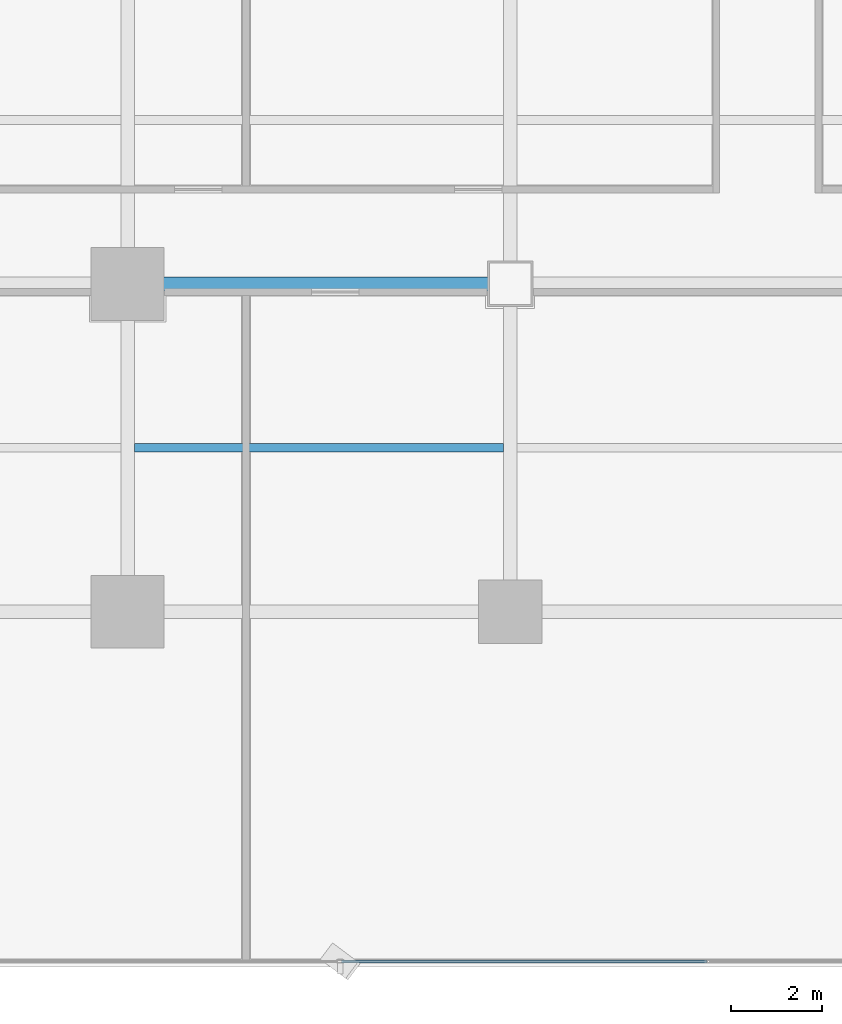
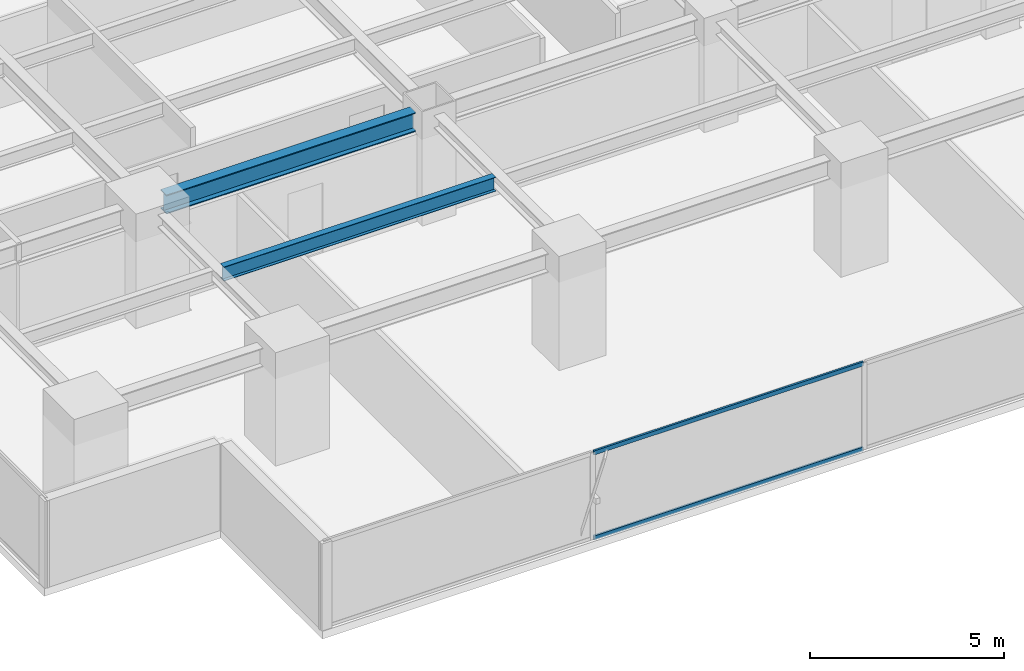
# One storey, part 5 of 36: 2 beams, 2 members, 1 element without a shape of its own.
"""IFC4 building model written with IfcOpenShell, lengths in metres."""

from ifc_helpers import new_model, si_unit, direction, frame, origin, origin_2d, place, context, subcontext, project, spatial, hollow_rectangle, i_section, extrude, source, transform, mapped, material, layer, layer_set, material_profile, profile_set, type_object, element, aggregate, save


model = new_model("IFC4")

# Units and contexts
model_context = context("Model", 3, precision=1e-05, world=origin(), true_north=direction((0.0, 1.0)))
body_context = subcontext(model_context, "Body", "Model", "MODEL_VIEW")
ifc_project = project(units=[si_unit("LENGTHUNIT", "METRE"), si_unit("AREAUNIT", "SQUARE_METRE"), si_unit("VOLUMEUNIT", "CUBIC_METRE"), si_unit("PLANEANGLEUNIT", "RADIAN"), si_unit("MASSUNIT", "GRAM", prefix="KILO")], contexts=[model_context])

# Site, building, storey
site_placement = place(None, origin())
site = spatial("IfcSite", under=ifc_project, at=site_placement, CompositionType="ELEMENT")
building_placement = place(site_placement, origin())
building = spatial("IfcBuilding", under=site, at=building_placement, Name="Sumidabori Civic Tower", CompositionType="ELEMENT")
storey_placement = place(building_placement, frame((0.0, 0.0, 92.0)))
storey = spatial("IfcBuildingStorey", under=building, at=storey_placement, Name="L23", CompositionType="ELEMENT", Elevation=92.0)

# Beams
ifc_material_1 = material(Name="Steel SN490", Category="steel")
ifc_material_profile_1 = material_profile(ifc_material_1, i_section(OverallWidth=0.300048828125, OverallDepth=0.60009765625, WebThickness=0.015380859375, FlangeThickness=0.030029296875, at=origin_2d()), Name="HE 600 B")
ifc_profile_set_1 = profile_set([ifc_material_profile_1], Name="Steel SN490")
beam_type_1 = type_object("IfcBeamType", Name="BM-GIRD-600", PredefinedType="BEAM", material=ifc_profile_set_1)
shared_shape_1 = source(origin(), body_context, "Body", "SweptSolid", [
    extrude(i_section(OverallWidth=0.300048828125, OverallDepth=0.60009765625, WebThickness=0.015380859375, FlangeThickness=0.030029296875, at=origin_2d()), origin(), (0.0, 0.0, 1.0), 7.440185546875),
])
beam_1_placement = place(storey_placement, frame((-16.320068359375, -10.800048828125, 3.06005859375), z_axis=(1.0, 0.0, 0.0), x_axis=(0.0, 1.0, 0.0)))
element("IfcBeam", 1, at=beam_1_placement, inside=storey, type_object=beam_type_1, Name="Primary Girder L23 GX-08", PredefinedType="BEAM", context=body_context, shape_type="MappedRepresentation", body=[
    mapped(shared_shape_1, transform((0.0, 0.0, 0.0), x_axis=(1.0, 0.0, 0.0), y_axis=(0.0, 1.0, 0.0), z_axis=(0.0, 0.0, 1.0), scale=1.0)),
])
ifc_material_profile_2 = material_profile(ifc_material_1, i_section(OverallWidth=0.18994140625, OverallDepth=0.449951171875, WebThickness=0.009521484375, FlangeThickness=0.0146484375, at=origin_2d()), Name="IPE 450")
ifc_profile_set_2 = profile_set([ifc_material_profile_2], Name="Steel SN490")
beam_type_2 = type_object("IfcBeamType", Name="BM-JST-450", PredefinedType="JOIST", material=ifc_profile_set_2)
shared_shape_2 = source(origin(), body_context, "Body", "SweptSolid", [
    extrude(i_section(OverallWidth=0.18994140625, OverallDepth=0.449951171875, WebThickness=0.009521484375, FlangeThickness=0.0146484375, at=origin_2d()), origin(), (0.0, 0.0, 1.0), 8.099853515625),
])
beam_2_placement = place(storey_placement, frame((-16.64990234375, -14.39990234375, 3.135009765625), z_axis=(1.0, 0.0, 0.0), x_axis=(0.0, 1.0, 0.0)))
element("IfcBeam", 2, at=beam_2_placement, inside=storey, type_object=beam_type_2, Name="South Bay Floor Joist L23 JSTS-55", PredefinedType="JOIST", context=body_context, shape_type="MappedRepresentation", body=[
    mapped(shared_shape_2, transform((0.0, 0.0, 0.0), x_axis=(1.0, 0.0, 0.0), y_axis=(0.0, 1.0, 0.0), z_axis=(0.0, 0.0, 1.0), scale=1.0)),
])

# Curtain wall, members
ifc_material_2 = material(Name="Anodised Bronze Aluminium AW-6063-T6", Category="aluminium")
ifc_layer = layer(ifc_material_2, 0.179931640625, Name="Anodised Bronze Aluminium AW-6063-T6")
ifc_layer_set = layer_set([ifc_layer], Name="Anodised Bronze Aluminium AW-6063-T6")
curtain_wall_type = type_object("IfcCurtainWallType", Name="CW-SYS-3", PredefinedType="NOTDEFINED", material=ifc_layer_set)
curtain_wall_placement = place(storey_placement, origin())
curtain_wall = element("IfcCurtainWall", 3, at=curtain_wall_placement, inside=storey, type_object=curtain_wall_type, Name="Curtain Wall CW:L23:R01", PredefinedType="NOTDEFINED")
ifc_material_profile_3 = material_profile(ifc_material_2, hollow_rectangle(XDim=0.06005859375, YDim=0.1298828125, WallThickness=0.0048828125, at=origin_2d()), Name="ALU TRANSOM 130x60")
ifc_profile_set_3 = profile_set([ifc_material_profile_3], Name="Anodised Bronze Aluminium AW-6063-T6")
member_type = type_object("IfcMemberType", Name="CW-TRN-130", PredefinedType="USERDEFINED", material=ifc_profile_set_3)
shared_shape_3 = source(origin(), body_context, "Body", "SweptSolid", [
    extrude(hollow_rectangle(XDim=0.06005859375, YDim=0.1298828125, WallThickness=0.0048828125, at=origin_2d()), origin(), (0.0, 0.0, 1.0), 8.023193359375),
])
member_1_placement = place(storey_placement, frame((-12.099609375, -25.679931640625, 0.030029296875), z_axis=(1.0, 0.0, 0.0), x_axis=(0.0, 1.0, 0.0)))
member_1 = element("IfcMember", 4, at=member_1_placement, type_object=member_type, Name="CW-3 transom 2.1", ObjectType="TRANSOM", PredefinedType="USERDEFINED", context=body_context, shape_type="MappedRepresentation", body=[
    mapped(shared_shape_3, transform((0.0, 0.0, 0.0), x_axis=(1.0, 0.0, 0.0), y_axis=(0.0, 1.0, 0.0), z_axis=(0.0, 0.0, 1.0), scale=1.0)),
])
member_2_placement = place(storey_placement, frame((-12.099609375, -25.679931640625, 2.7099609375), z_axis=(1.0, 0.0, 0.0), x_axis=(0.0, 1.0, 0.0)))
member_2 = element("IfcMember", 5, at=member_2_placement, type_object=member_type, Name="CW-3 transom 2.2", ObjectType="TRANSOM", PredefinedType="USERDEFINED", context=body_context, shape_type="MappedRepresentation", body=[
    mapped(shared_shape_3, transform((0.0, 0.0, 0.0), x_axis=(1.0, 0.0, 0.0), y_axis=(0.0, 1.0, 0.0), z_axis=(0.0, 0.0, 1.0), scale=1.0)),
])
aggregate(curtain_wall, [member_1, member_2])

save(model, "model.ifc")
